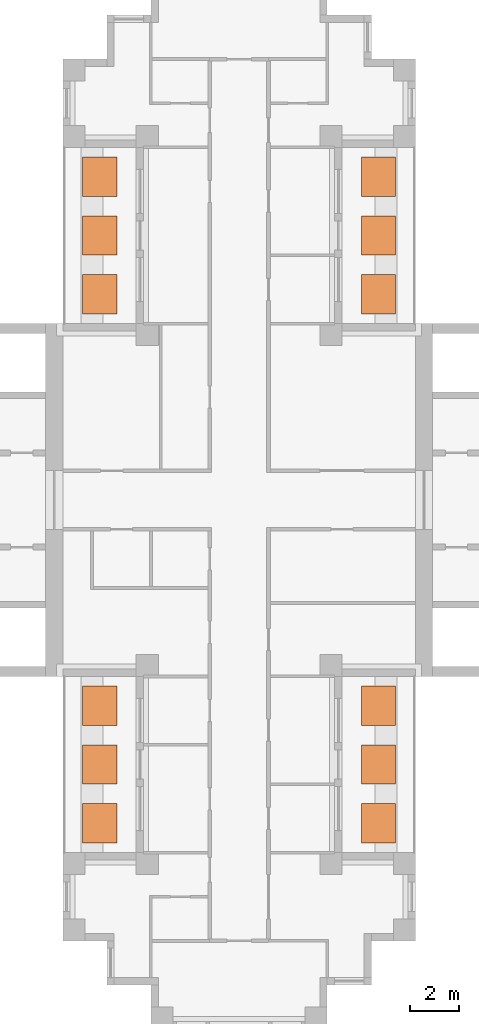
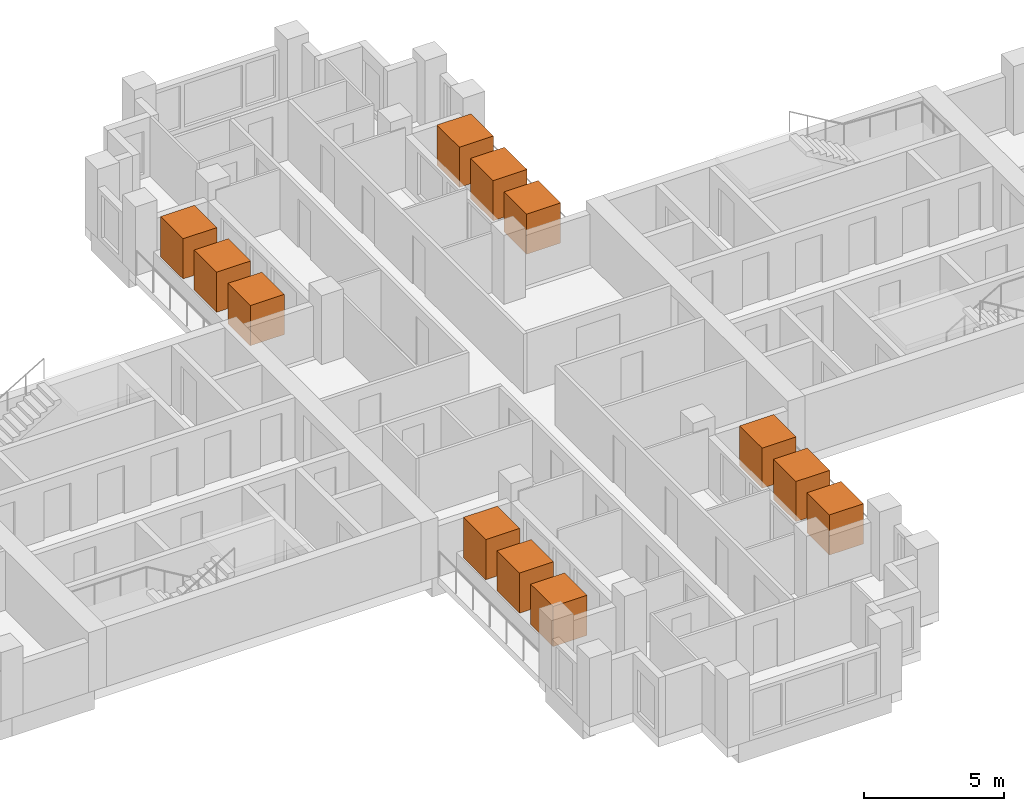
# One storey, part 11 of 11: 12 geographic elements.
"""IFC4 building model written with IfcOpenShell, lengths in metres."""

from ifc_helpers import new_model, si_unit, direction, frame, origin, origin_2d, place, context, subcontext, project, spatial, rectangle, extrude, material, element, save


model = new_model("IFC4")

# Units and contexts
model_context = context("Model", 3, precision=1e-05, world=origin(), true_north=direction((0.0, 1.0)))
body_context = subcontext(model_context, "Body", "Model", "MODEL_VIEW")
ifc_project = project(units=[si_unit("LENGTHUNIT", "METRE"), si_unit("AREAUNIT", "SQUARE_METRE"), si_unit("VOLUMEUNIT", "CUBIC_METRE"), si_unit("PLANEANGLEUNIT", "RADIAN"), si_unit("MASSUNIT", "GRAM", prefix="KILO")], contexts=[model_context])

# Site, building, storey
site_placement = place(None, origin())
site = spatial("IfcSite", under=ifc_project, at=site_placement, CompositionType="ELEMENT")
building_placement = place(site_placement, origin())
building = spatial("IfcBuilding", under=site, at=building_placement, Name="Fustian Cross Tower", CompositionType="ELEMENT")
storey_placement = place(building_placement, frame((0.0, 0.0, 176.699951171875)))
storey = spatial("IfcBuildingStorey", under=building, at=storey_placement, Name="L55", CompositionType="ELEMENT", Elevation=176.699951171875)

# Geographic elements
ifc_material = material(Name="Evergreen foliage")
for number, where, z_axis, x_axis, name in (
    (1, (5.68994140625, 8.39990234375, 0.800048828125), (0.0, 0.0, 1.0), (1.0, 0.0, 0.0), "TREE field maple"),
    (2, (5.68994140625, 10.800048828125, 0.800048828125), (0.0, 0.0, 1.0), (1.0, 0.0, 0.0), "TREE field maple"),
    (3, (5.68994140625, 13.199951171875, 0.800048828125), (0.0, 0.0, 1.0), (1.0, 0.0, 0.0), "TREE field maple"),
    (4, (-5.68994140625, 8.39990234375, 0.800048828125), (0.0, 0.0, 1.0), (1.0, 0.0, 0.0), "TREE field maple"),
    (5, (-5.68994140625, 10.800048828125, 0.800048828125), (0.0, 0.0, 1.0), (1.0, 0.0, 0.0), "TREE field maple"),
    (6, (-5.68994140625, 13.199951171875, 0.800048828125), (0.0, 0.0, 1.0), (1.0, 0.0, 0.0), "TREE field maple"),
    (7, (5.68994140625, -13.199951171875, 0.800048828125), (0.0, 0.0, 1.0), (1.0, 0.0, 0.0), "TREE field maple"),
    (8, (5.68994140625, -10.800048828125, 0.800048828125), (0.0, 0.0, 1.0), (1.0, 0.0, 0.0), "TREE field maple"),
    (9, (5.68994140625, -8.39990234375, 0.800048828125), (0.0, 0.0, 1.0), (1.0, 0.0, 0.0), "TREE field maple"),
    (10, (-5.68994140625, -13.199951171875, 0.800048828125), (0.0, 0.0, 1.0), (1.0, 0.0, 0.0), "TREE field maple"),
    (11, (-5.68994140625, -10.800048828125, 0.800048828125), (0.0, 0.0, 1.0), (1.0, 0.0, 0.0), "TREE field maple"),
    (12, (-5.68994140625, -8.39990234375, 0.800048828125), (0.0, 0.0, 1.0), (1.0, 0.0, 0.0), "TREE field maple"),
):
    element("IfcGeographicElement", number, at=place(storey_placement, frame(where, z_axis=z_axis, x_axis=x_axis)), inside=storey, material=ifc_material, Name=name, ObjectType="VEGETATION", PredefinedType="USERDEFINED", context=body_context, shape_type="SweptSolid", body=[
        extrude(rectangle(XDim=1.39990234375, YDim=1.60009765625, at=origin_2d()), origin(), (0.0, 0.0, 1.0), 1.75),
    ])

save(model, "model.ifc")
